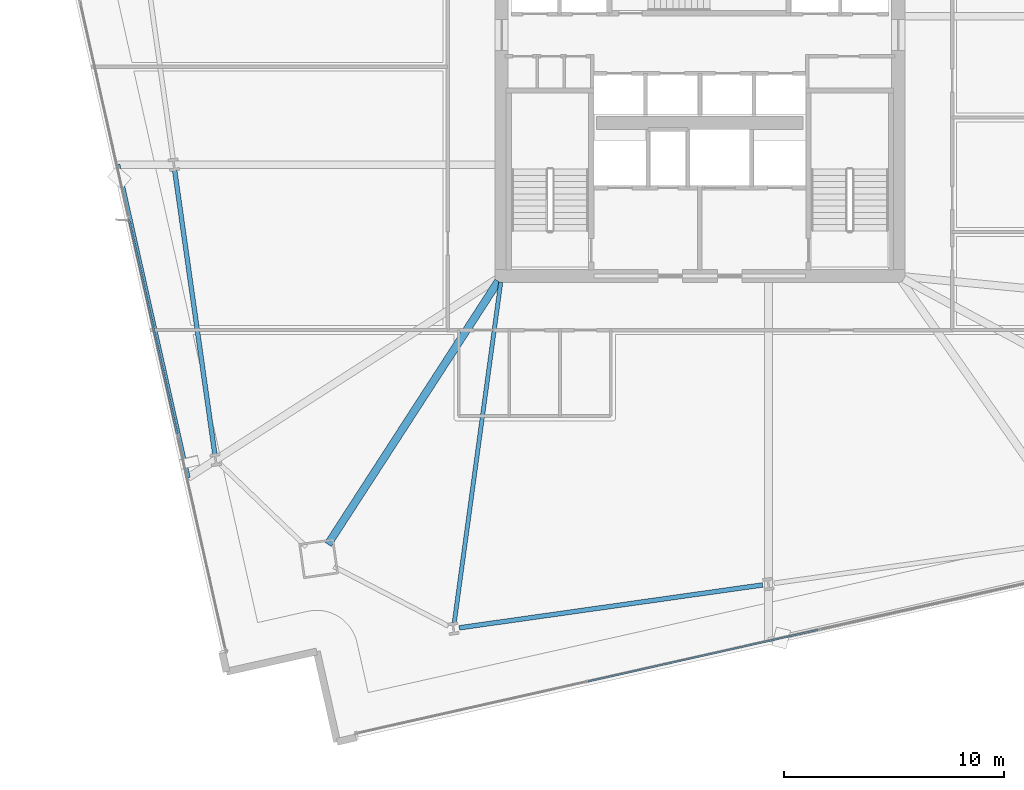
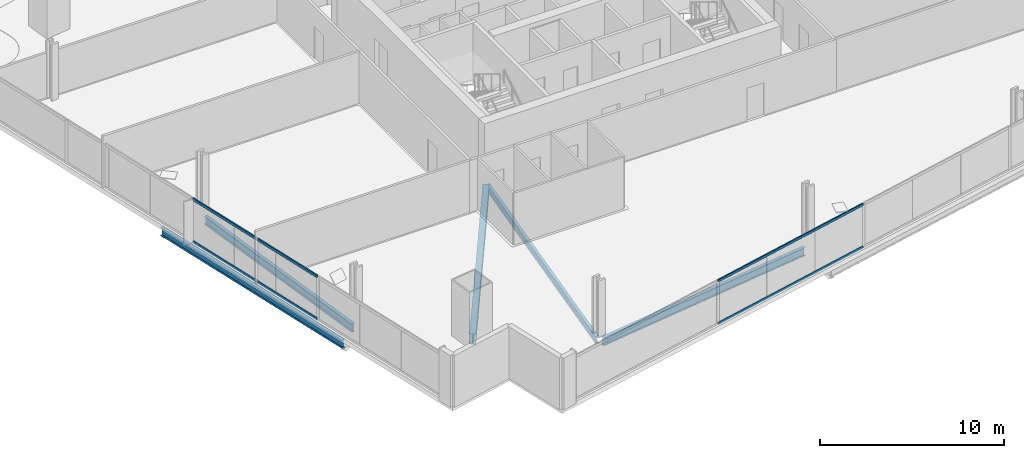
# One storey, part 4 of 32: 5 beams, 4 members, 2 elements without a shape of their own.
"""IFC4 building model written with IfcOpenShell, lengths in metres."""

import ifcopenshell
import ifcopenshell.guid

model = None  # the IFC model being written
_history = None  # IfcOwnerHistory: only IFC2X3 demands one
_inside = {}  # id of a spatial element -> (the spatial element, [elements in it])
_under = {}  # id of a project, library or spatial element -> (it, [spatial elements below it])
_declared = {}  # id of a project -> (the project, [libraries it declares])
_typed = {}  # id of a type object -> (the type object, [elements of that type])
_made_of = {}  # id of a material, layer set ... -> (it, [elements and type objects made of it])


def new_model(schema):
    """Start an empty IFC model of exactly this schema.

    Asked for "IFC4X3", IfcOpenShell would pick the latest addendum, in which some entities
    have other attributes; the version numbers below select the first issue.
    IFC2X3 requires an IfcOwnerHistory on every rooted entity: one is made here for all.
    """
    global model, _history
    if schema == "IFC4X3":
        model = ifcopenshell.file(schema_version=(4, 3, 0, 0))
    else:
        model = ifcopenshell.file(schema=schema)
    _inside.clear()
    _under.clear()
    _declared.clear()
    _typed.clear()
    _made_of.clear()
    _history = None
    if model.schema == "IFC2X3":
        org = make("IfcOrganization", Name="unknown")
        user = make(
            "IfcPersonAndOrganization",
            ThePerson=make("IfcPerson", FamilyName="unknown"),
            TheOrganization=org,
        )
        app = make(
            "IfcApplication",
            ApplicationDeveloper=org,
            Version="unknown",
            ApplicationFullName="unknown",
            ApplicationIdentifier="unknown",
        )
        _history = make(
            "IfcOwnerHistory",
            OwningUser=user,
            OwningApplication=app,
            ChangeAction="ADDED",
            CreationDate=0,
        )
    return model


def make(cls, **values):
    """One entity of the class cls with the attributes given. An attribute that is None is left unset."""
    return model.create_entity(
        cls, **{name: value for name, value in values.items() if value is not None}
    )


def rooted(cls, **values):
    """An entity with a GlobalId (a new one), such as an element, a storey or a relation."""
    return make(cls, GlobalId=ifcopenshell.guid.new(), OwnerHistory=_history, **values)


def si_unit(unit_type, name, prefix=None):
    """IfcSIUnit, for example si_unit("LENGTHUNIT", "METRE", prefix="MILLI")."""
    return make("IfcSIUnit", UnitType=unit_type, Prefix=prefix, Name=name)


def assignment(units):
    """IfcUnitAssignment: the units of a project."""
    return None if units is None else make("IfcUnitAssignment", Units=units)


def point(xyz):
    """IfcCartesianPoint."""
    return None if xyz is None else make("IfcCartesianPoint", Coordinates=xyz)


def direction(xyz):
    """IfcDirection."""
    return None if xyz is None else make("IfcDirection", DirectionRatios=xyz)


def frame(location, z_axis=None, x_axis=None):
    """IfcAxis2Placement3D, a coordinate frame: its origin and axes. An axis left out is left unset."""
    return make(
        "IfcAxis2Placement3D",
        Location=point(location),
        Axis=direction(z_axis),
        RefDirection=direction(x_axis),
    )


def frame_2d(location, x_axis=None):
    """IfcAxis2Placement2D, a coordinate frame in the plane: its origin and x axis."""
    return make(
        "IfcAxis2Placement2D", Location=point(location), RefDirection=direction(x_axis)
    )


def origin():
    """The frame at (0, 0, 0) with its axes left unset."""
    return frame((0.0, 0.0, 0.0))


def origin_2d():
    """The frame at (0, 0) in the plane with its x axis left unset."""
    return frame_2d((0.0, 0.0))


def place(relative_to, where):
    """IfcLocalPlacement: puts the frame where relative to a parent placement (None: the world)."""
    return make(
        "IfcLocalPlacement", PlacementRelTo=relative_to, RelativePlacement=where
    )


def context(
    kind, dimensions, precision=None, world=None, true_north=None, identifier=None
):
    """IfcGeometricRepresentationContext, for example the 3D "Model" context."""
    return make(
        "IfcGeometricRepresentationContext",
        ContextIdentifier=identifier,
        ContextType=kind,
        CoordinateSpaceDimension=dimensions,
        Precision=precision,
        WorldCoordinateSystem=world,
        TrueNorth=true_north,
    )


def subcontext(parent, identifier, kind, view, scale=None):
    """IfcGeometricRepresentationSubContext, for example "Body" below "Model"."""
    return make(
        "IfcGeometricRepresentationSubContext",
        ContextIdentifier=identifier,
        ContextType=kind,
        ParentContext=parent,
        TargetScale=scale,
        TargetView=view,
    )


def project(units=None, contexts=None):
    """IfcProject with its units and contexts."""
    return rooted(
        "IfcProject",
        Name="project",
        RepresentationContexts=contexts,
        UnitsInContext=assignment(units),
    )


def spatial(cls, under=None, at=None, **own):
    """A site, building, storey or space (cls), placed at a placement, below another one or the project."""
    s = rooted(cls, ObjectPlacement=at, **own)
    if under is not None:
        _under.setdefault(under.id(), (under, []))[1].append(s)
    return s


def profile(cls, at=None, kind="AREA", **sizes):
    """A parametric profile (cls). Its sizes go by their IFC names, for example OverallWidth=200.0."""
    return make(cls, ProfileType=kind, Position=at, **sizes)


def hollow_rectangle(**sizes):
    """IfcRectangleHollowProfileDef."""
    return profile("IfcRectangleHollowProfileDef", **sizes)


def i_section(**sizes):
    """IfcIShapeProfileDef."""
    return profile("IfcIShapeProfileDef", **sizes)


def extrude(swept, where, along, depth):
    """IfcExtrudedAreaSolid: the profile swept, set in the frame where, extruded along a direction by depth."""
    return make(
        "IfcExtrudedAreaSolid",
        SweptArea=swept,
        Position=where,
        ExtrudedDirection=direction(along),
        Depth=depth,
    )


def shape(context_of_items, identifier, shape_type, items):
    """IfcShapeRepresentation: the items that make up one representation, for example the "Body"."""
    return make(
        "IfcShapeRepresentation",
        ContextOfItems=context_of_items,
        RepresentationIdentifier=identifier,
        RepresentationType=shape_type,
        Items=items,
    )


def material(Name=None, Category=None):
    """IfcMaterial."""
    return make("IfcMaterial", Name=Name, Category=Category)


def material_profile(
    of_material, cross_section, Name=None, Category=None, Priority=None
):
    """IfcMaterialProfile: a cross section and its material."""
    return make(
        "IfcMaterialProfile",
        Name=Name,
        Material=of_material,
        Profile=cross_section,
        Priority=Priority,
        Category=Category,
    )


def profile_set(profiles, Name=None, composite=None):
    """IfcMaterialProfileSet."""
    return make(
        "IfcMaterialProfileSet",
        Name=Name,
        MaterialProfiles=profiles,
        CompositeProfile=composite,
    )


def made_of(thing, what):
    """Note that an element or type object is made of a material, layer set ...; save() writes the relation."""
    if what is not None:
        _made_of.setdefault(what.id(), (what, []))[1].append(thing)
    return thing


def type_object(cls, material=None, **own):
    """A type object (cls), such as IfcWallType, which elements share."""
    return made_of(rooted(cls, **own), material)


def element(
    cls,
    number,
    at=None,
    inside=None,
    cuts=None,
    type_object=None,
    material=None,
    context=None,
    identifier="Body",
    shape_type=None,
    held_by="IfcProductDefinitionShape",
    body=None,
    shapes=None,
    **own,
):
    """One element of the class cls, such as IfcWall. Its Tag is "e" and its number.

    at: its placement. inside: the storey or other place that contains it. cuts: it is an
    opening in that element (IfcRelVoidsElement). A single representation is given by context,
    identifier, shape_type and body (its items); several are given by shapes. held_by: the class
    of the entity that holds the representations. save() writes the other relations.
    """
    e = rooted(cls, Tag="e%d" % number, ObjectPlacement=at, **own)
    if body is not None:
        shapes = [shape(context, identifier, shape_type, body)]
    if shapes is not None:
        e.Representation = make(held_by, Representations=shapes)
    if inside is not None:
        _inside.setdefault(inside.id(), (inside, []))[1].append(e)
    if cuts is not None:
        rooted(
            "IfcRelVoidsElement", RelatingBuildingElement=cuts, RelatedOpeningElement=e
        )
    if type_object is not None:
        _typed.setdefault(type_object.id(), (type_object, []))[1].append(e)
    return made_of(e, material)


def aggregate(whole, parts):
    """IfcRelAggregates: a whole, such as a stair, and the parts it consists of."""
    return rooted("IfcRelAggregates", RelatingObject=whole, RelatedObjects=parts)


def save(model, path):
    """Write the relations noted so far, then the file.

    IfcRelAggregates (storeys below a building ...), IfcRelContainedInSpatialStructure (elements
    in a storey), IfcRelDefinesByType, IfcRelAssociatesMaterial and IfcRelDeclares: one each for
    every whole, place, type object, material and project.
    """
    for whole, parts in _under.values():
        aggregate(whole, parts)
    for where, things in _inside.values():
        rooted(
            "IfcRelContainedInSpatialStructure",
            RelatedElements=things,
            RelatingStructure=where,
        )
    for kind, things in _typed.values():
        rooted("IfcRelDefinesByType", RelatedObjects=things, RelatingType=kind)
    for what, things in _made_of.values():
        rooted("IfcRelAssociatesMaterial", RelatedObjects=things, RelatingMaterial=what)
    for by, libraries in _declared.values():
        rooted("IfcRelDeclares", RelatingContext=by, RelatedDefinitions=libraries)
    model.write(path)


model = new_model("IFC4")

# Units and contexts
model_context = context("Model", 3, precision=1e-05, world=origin(), true_north=direction((0.0, 1.0)))
body_context = subcontext(model_context, "Body", "Model", "MODEL_VIEW")
ifc_project = project(units=[si_unit("LENGTHUNIT", "METRE"), si_unit("AREAUNIT", "SQUARE_METRE"), si_unit("VOLUMEUNIT", "CUBIC_METRE"), si_unit("PLANEANGLEUNIT", "RADIAN"), si_unit("MASSUNIT", "GRAM", prefix="KILO")], contexts=[model_context])

# Site, building, storey
site_placement = place(None, origin())
site = spatial("IfcSite", under=ifc_project, at=site_placement, CompositionType="ELEMENT")
building_placement = place(site_placement, origin())
building = spatial("IfcBuilding", under=site, at=building_placement, Name="Haldenkirk Collegiate Tower", CompositionType="ELEMENT")
storey_placement = place(building_placement, frame((0.0, 0.0, 70.199951171875)))
storey = spatial("IfcBuildingStorey", under=building, at=storey_placement, Name="L16", CompositionType="ELEMENT", Elevation=70.199951171875)

# Beams
ifc_material_1 = material(Name="Steel ASTM A992 Grade 50", Category="steel")
ifc_material_profile_1 = material_profile(ifc_material_1, i_section(OverallWidth=0.35498046875, OverallDepth=0.696044921875, WebThickness=0.015380859375, FlangeThickness=0.02490234375, at=origin_2d()), Name="W27X146")
ifc_profile_set_1 = profile_set([ifc_material_profile_1], Name="Steel ASTM A992 Grade 50")
beam_type_1 = type_object("IfcBeamType", Name="BM-GIRDER-W27X146", PredefinedType="BEAM", material=ifc_profile_set_1)
beam_1_placement = place(storey_placement, frame((19.1201171875, 5.826416015625, -0.657958984375), z_axis=(0.54339434448, 0.839477567531, 0.0), x_axis=(-0.839477567531, 0.54339434448, 0.0)))
element("IfcBeam", 1, at=beam_1_placement, inside=storey, type_object=beam_type_1, Name="L16 primary floor girder 01", PredefinedType="BEAM", context=body_context, shape_type="SweptSolid", body=[
    extrude(i_section(OverallWidth=0.35498046875, OverallDepth=0.696044921875, WebThickness=0.015380859375, FlangeThickness=0.02490234375, at=origin_2d()), origin(), (0.0, 0.0, 1.0), 14.221435546875),
])
ifc_material_profile_2 = material_profile(ifc_material_1, i_section(OverallWidth=0.19189453125, OverallDepth=0.462890625, WebThickness=0.010498046875, FlangeThickness=0.017578125, at=origin_2d()), Name="W18X60")
ifc_profile_set_2 = profile_set([ifc_material_profile_2], Name="Steel ASTM A992 Grade 50")
beam_type_2 = type_object("IfcBeamType", Name="BM-JOIST-W18X60", PredefinedType="JOIST", material=ifc_profile_set_2)
beam_2_placement = place(storey_placement, frame((24.850830078125, 2.25927734375, -0.54150390625), z_axis=(0.135282136316, 0.99080711725, 0.0), x_axis=(-0.99080711725, 0.135282136316, 0.0)))
element("IfcBeam", 2, at=beam_2_placement, inside=storey, type_object=beam_type_2, Name="L16 composite floor joist 05", PredefinedType="JOIST", context=body_context, shape_type="SweptSolid", body=[
    extrude(i_section(OverallWidth=0.19189453125, OverallDepth=0.462890625, WebThickness=0.010498046875, FlangeThickness=0.017578125, at=origin_2d()), origin(), (0.0, 0.0, 1.0), 15.60693359375),
])
ifc_material_profile_3 = material_profile(ifc_material_1, i_section(OverallWidth=0.2119140625, OverallDepth=0.5439453125, WebThickness=0.01318359375, FlangeThickness=0.021240234375, at=origin_2d()), Name="W21X83")
ifc_profile_set_3 = profile_set([ifc_material_profile_3], Name="Steel ASTM A992 Grade 50")
beam_type_3 = type_object("IfcBeamType", Name="BM-SPANDREL-W21X83", PredefinedType="SPANDREL", material=ifc_profile_set_3)
beam_3_placement = place(storey_placement, frame((25.076904296875, 2.0341796875, -0.58203125), z_axis=(0.990146197746, 0.14003752029, 0.0), x_axis=(-0.14003752029, 0.990146197746, 0.0)))
element("IfcBeam", 3, at=beam_3_placement, inside=storey, type_object=beam_type_3, Name="L16 perimeter spandrel beam 02", PredefinedType="SPANDREL", context=body_context, shape_type="SweptSolid", body=[
    extrude(i_section(OverallWidth=0.2119140625, OverallDepth=0.5439453125, WebThickness=0.01318359375, FlangeThickness=0.021240234375, at=origin_2d()), origin(), (0.0, 0.0, 1.0), 13.906982421875),
])
beam_4_placement = place(storey_placement, frame((12.16455078125, 22.791015625, -0.58203125), z_axis=(0.140043508171, -0.990145350855, 0.0), x_axis=(0.990145350855, 0.140043508171, 0.0)))
element("IfcBeam", 4, at=beam_4_placement, inside=storey, type_object=beam_type_3, Name="L16 perimeter spandrel beam 15", PredefinedType="SPANDREL", context=body_context, shape_type="SweptSolid", body=[
    extrude(i_section(OverallWidth=0.2119140625, OverallDepth=0.5439453125, WebThickness=0.01318359375, FlangeThickness=0.021240234375, at=origin_2d()), origin(), (0.0, 0.0, 1.0), 13.0),
])
beam_5_placement = place(storey_placement, frame((9.573974609375, 23.052978515625, -0.58203125), z_axis=(0.218987841851, -0.975727587558, 0.0), x_axis=(0.975727587558, 0.218987841851, 0.0)))
element("IfcBeam", 5, at=beam_5_placement, inside=storey, type_object=beam_type_3, Name="L16 outer facade edge beam 4", PredefinedType="SPANDREL", context=body_context, shape_type="SweptSolid", body=[
    extrude(i_section(OverallWidth=0.2119140625, OverallDepth=0.5439453125, WebThickness=0.01318359375, FlangeThickness=0.021240234375, at=origin_2d()), origin(), (0.0, 0.0, 1.0), 14.558837890625),
])

# Curtain wall, members
ifc_material_2 = material(Name="Anodised architectural bronze aluminium", Category="aluminium")
curtain_wall_type_1 = type_object("IfcCurtainWallType", Name="CW-SYS2-CONCAVE", PredefinedType="USERDEFINED", material=ifc_material_2)
curtain_wall_1_placement = place(storey_placement, origin())
curtain_wall_1 = element("IfcCurtainWall", 6, at=curtain_wall_1_placement, inside=storey, type_object=curtain_wall_type_1, Name="L16 South concave recessed bronze-anodised curtain wall", ObjectType="UNITISED CURTAIN WALL", PredefinedType="USERDEFINED")
ifc_material_profile_4 = material_profile(ifc_material_2, hollow_rectangle(XDim=0.074951171875, YDim=0.159912109375, WallThickness=0.0048828125, at=origin_2d()), Name="CW-TRN-02")
ifc_profile_set_4 = profile_set([ifc_material_profile_4], Name="Anodised architectural bronze aluminium")
member_type_1 = type_object("IfcMemberType", Name="CW-TRN-02", PredefinedType="USERDEFINED", material=ifc_profile_set_4)
member_1_placement = place(storey_placement, frame((41.360595703125, 1.945068359375, 0.03759765625), z_axis=(-0.97572530751, -0.218998000643, 0.0), x_axis=(0.218998000643, -0.97572530751, 0.0)))
member_1 = element("IfcMember", 7, at=member_1_placement, type_object=member_type_1, Name="CW-02 transom 3.1", ObjectType="TRANSOM", PredefinedType="USERDEFINED", context=body_context, shape_type="SweptSolid", body=[
    extrude(hollow_rectangle(XDim=0.074951171875, YDim=0.159912109375, WallThickness=0.0048828125, at=origin_2d()), origin(), (0.0, 0.0, 1.0), 10.699951171875),
])
member_2_placement = place(storey_placement, frame((41.360595703125, 1.945068359375, 2.853515625), z_axis=(-0.97572530751, -0.218998000643, 0.0), x_axis=(0.218998000643, -0.97572530751, 0.0)))
member_2 = element("IfcMember", 8, at=member_2_placement, type_object=member_type_1, Name="CW-02 transom 3.2", ObjectType="TRANSOM", PredefinedType="USERDEFINED", context=body_context, shape_type="SweptSolid", body=[
    extrude(hollow_rectangle(XDim=0.074951171875, YDim=0.159912109375, WallThickness=0.0048828125, at=origin_2d()), origin(), (0.0, 0.0, 1.0), 10.699951171875),
])
aggregate(curtain_wall_1, [member_1, member_2])

curtain_wall_type_2 = type_object("IfcCurtainWallType", Name="CW-SYS1-CONVEX-LOW", PredefinedType="USERDEFINED", material=ifc_material_2)
curtain_wall_2_placement = place(storey_placement, origin())
curtain_wall_2 = element("IfcCurtainWall", 9, at=curtain_wall_2_placement, inside=storey, type_object=curtain_wall_type_2, Name="L16 Lower tower convex bronze-framed unitised curtain wall", ObjectType="UNITISED CURTAIN WALL", PredefinedType="USERDEFINED")
ifc_material_profile_5 = material_profile(ifc_material_2, hollow_rectangle(XDim=0.080078125, YDim=0.179931640625, WallThickness=0.0048828125, at=origin_2d()), Name="CW-TRN-1A")
ifc_profile_set_5 = profile_set([ifc_material_profile_5], Name="Anodised architectural bronze aluminium")
member_type_2 = type_object("IfcMemberType", Name="CW-TRN-1A", PredefinedType="USERDEFINED", material=ifc_profile_set_5)
member_3_placement = place(storey_placement, frame((12.2783203125, 10.8203125, 0.0400390625), z_axis=(-0.218971859228, 0.975731174487, 0.0), x_axis=(-0.975731174487, -0.218971859228, 0.0)))
member_3 = element("IfcMember", 10, at=member_3_placement, type_object=member_type_2, Name="CW-1A transom 2.1", ObjectType="TRANSOM", PredefinedType="USERDEFINED", context=body_context, shape_type="SweptSolid", body=[
    extrude(hollow_rectangle(XDim=0.080078125, YDim=0.179931640625, WallThickness=0.0048828125, at=origin_2d()), origin(), (0.0, 0.0, 1.0), 9.98876953125),
])
member_4_placement = place(storey_placement, frame((12.2783203125, 10.8203125, 2.85107421875), z_axis=(-0.218971859228, 0.975731174487, 0.0), x_axis=(-0.975731174487, -0.218971859228, 0.0)))
member_4 = element("IfcMember", 11, at=member_4_placement, type_object=member_type_2, Name="CW-1A transom 2.2", ObjectType="TRANSOM", PredefinedType="USERDEFINED", context=body_context, shape_type="SweptSolid", body=[
    extrude(hollow_rectangle(XDim=0.080078125, YDim=0.179931640625, WallThickness=0.0048828125, at=origin_2d()), origin(), (0.0, 0.0, 1.0), 9.98876953125),
])
aggregate(curtain_wall_2, [member_3, member_4])

save(model, "model.ifc")
